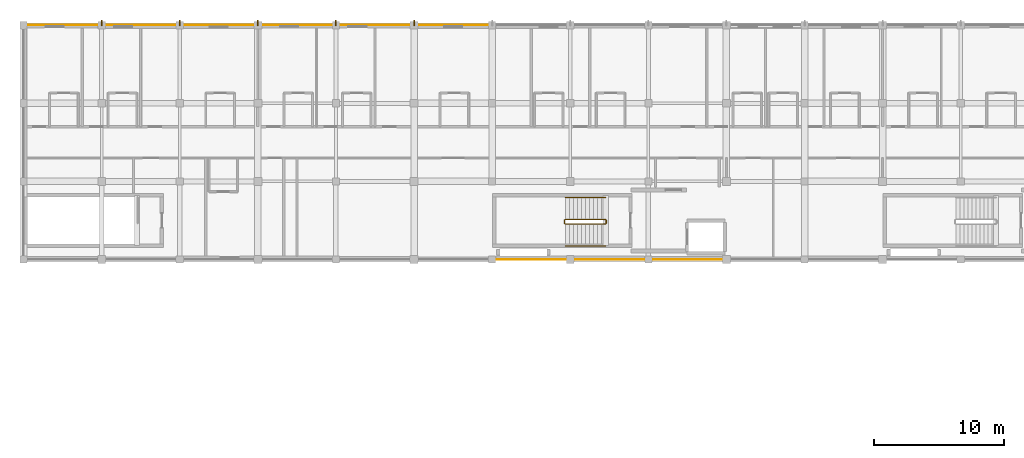
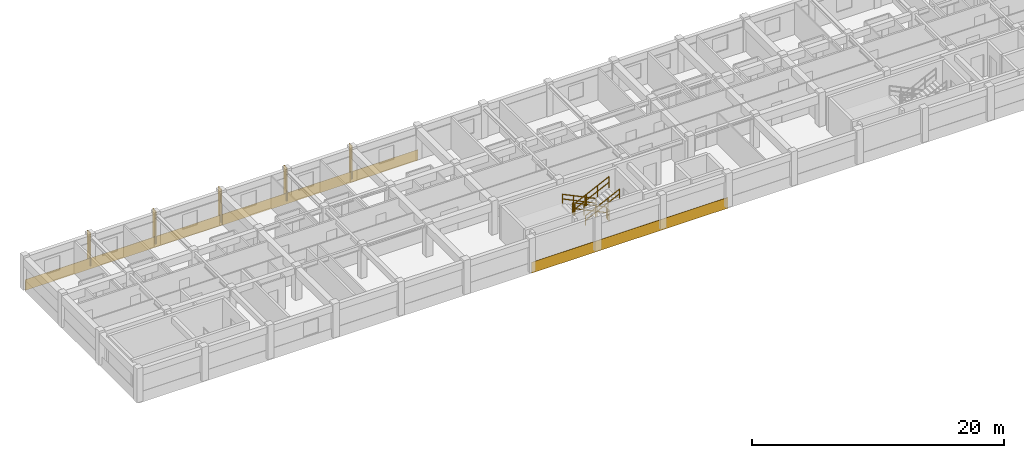
# One storey, part 19 of 21: 6 railings, 5 shading devices, 3 coverings.
"""IFC4 building model written with IfcOpenShell, lengths in metres."""

from ifc_helpers import new_model, si_unit, direction, frame, origin, origin_2d, place, context, subcontext, project, spatial, polyline, rectangle, circle, outline, extrude, material, layer, layer_set, type_object, element, save


model = new_model("IFC4")

# Units and contexts
model_context = context("Model", 3, precision=1e-05, world=origin(), true_north=direction((0.0, 1.0)))
body_context = subcontext(model_context, "Body", "Model", "MODEL_VIEW")
ifc_project = project(units=[si_unit("LENGTHUNIT", "METRE"), si_unit("AREAUNIT", "SQUARE_METRE"), si_unit("VOLUMEUNIT", "CUBIC_METRE"), si_unit("PLANEANGLEUNIT", "RADIAN"), si_unit("MASSUNIT", "GRAM", prefix="KILO"), si_unit("THERMODYNAMICTEMPERATUREUNIT", "KELVIN"), si_unit("POWERUNIT", "WATT")], contexts=[model_context])

# Site, building, storey
site_placement = place(None, origin())
site = spatial("IfcSite", under=ifc_project, at=site_placement, CompositionType="ELEMENT")
building_placement = place(site_placement, origin())
building = spatial("IfcBuilding", under=site, at=building_placement, Name="Phaisarnlok Congress Hotel", CompositionType="ELEMENT")
storey_placement = place(building_placement, frame((0.0, 0.0, 34.800048828125)))
storey = spatial("IfcBuildingStorey", under=building, at=storey_placement, Name="L08", CompositionType="ELEMENT", Elevation=34.800048828125)

# Coverings
ifc_material_1 = material(Name="Anodised Silver Aluminium Alloy 6063-T6", Category="aluminium")
ifc_layer_1 = layer(ifc_material_1, 0.031982421875, Name="Anodised Silver Aluminium Alloy 6063-T6")
ifc_layer_set_1 = layer_set([ifc_layer_1], Name="Anodised Silver Aluminium Alloy 6063-T6")
covering_type = type_object("IfcCoveringType", Name="COV-SPAND-ALU", PredefinedType="CLADDING", material=ifc_layer_set_1)
for number, where, z_axis, x_axis, name in (
    (1, (84.06005859375, 125.9951171875, -0.280029296875), (0.0, 1.0, 0.0), (-1.0, 0.0, 0.0), "Swiss minimalist anodised silver rainscreen band CL-02 (L08 N)"),
    (2, (102.06005859375, 125.9951171875, -0.280029296875), (0.0, 1.0, 0.0), (-1.0, 0.0, 0.0), "Swiss minimalist anodised silver rainscreen band CL-02 (L08 N)"),
    (3, (102.06005859375, 108.0048828125, -0.280029296875), (0.0, -1.0, 0.0), (1.0, 0.0, 0.0), "Swiss minimalist anodised silver rainscreen band CL-02 (L08 S)"),
):
    element("IfcCovering", number, at=place(storey_placement, frame(where, z_axis=z_axis, x_axis=x_axis)), inside=storey, type_object=covering_type, Name=name, PredefinedType="CLADDING", context=body_context, shape_type="SweptSolid", body=[
        extrude(outline(polyline([(0.0, 0.0), (18.0, 0.0), (18.0, 1.050048828125), (0.0, 1.050048828125), (0.0, 0.0)])), origin(), (0.0, 0.0, 1.0), 0.031982421875),
    ])

# Railings
ifc_material_2 = material(Name="Painted Galvanised Steel S275", Category="steel")
railing_type_1 = type_object("IfcRailingType", Name="RLG-STR-GUARD", PredefinedType="BALUSTRADE", material=ifc_material_2)
railing_1_placement = place(storey_placement, frame((110.719970703125, 111.070068359375, 0.14990234375)))
element("IfcRailing", 4, at=railing_1_placement, inside=storey, type_object=railing_type_1, Name="L08 ST-07 stair guard 1", PredefinedType="BALUSTRADE", context=body_context, shape_type="SweptSolid", body=[
    extrude(circle(Radius=0.02392578125, at=origin_2d()), frame((0.0, 0.0, 1.076171875), z_axis=(-0.900151181449, 0.0, 0.435577605641), x_axis=(0.0, -1.0, 0.0)), (0.0, 0.0, 1.0), 3.443603515625),
    extrude(circle(Radius=0.02392578125, at=origin_2d()), frame((0.0, 0.0, 0.52587890625), z_axis=(-0.900151181449, 0.0, 0.435577605641), x_axis=(0.0, -1.0, 0.0)), (0.0, 0.0, 1.0), 3.443603515625),
    extrude(circle(Radius=0.02099609375, at=origin_2d()), origin(), (0.0, 0.0, 1.0), 1.052001953125),
    extrude(circle(Radius=0.02099609375, at=origin_2d()), frame((-1.033203125, 0.0, 0.5)), (0.0, 0.0, 1.0), 1.052001953125),
    extrude(circle(Radius=0.02099609375, at=origin_2d()), frame((-2.066650390625, 0.0, 1.0)), (0.0, 0.0, 1.0), 1.052001953125),
    extrude(circle(Radius=0.02099609375, at=origin_2d()), frame((-3.099853515625, 0.0, 1.5)), (0.0, 0.0, 1.0), 1.052001953125),
])
railing_2_placement = place(storey_placement, frame((107.570068359375, 111.02001953125, 1.64990234375)))
element("IfcRailing", 5, at=railing_2_placement, inside=storey, type_object=railing_type_1, Name="L08 ST-07 stair guard 2", PredefinedType="BALUSTRADE", context=body_context, shape_type="SweptSolid", body=[
    extrude(circle(Radius=0.02392578125, at=origin_2d()), frame((0.0, 0.0, 1.076171875), z_axis=(0.0, -1.0, 0.0), x_axis=(1.0, 0.0, 0.0)), (0.0, 0.0, 1.0), 0.239990234375),
    extrude(circle(Radius=0.02392578125, at=origin_2d()), frame((0.0, 0.0, 0.52587890625), z_axis=(0.0, -1.0, 0.0), x_axis=(1.0, 0.0, 0.0)), (0.0, 0.0, 1.0), 0.239990234375),
    extrude(circle(Radius=0.02099609375, at=origin_2d()), origin(), (0.0, 0.0, 1.0), 1.052001953125),
    extrude(circle(Radius=0.02099609375, at=origin_2d()), frame((0.0, -0.239990234375, 0.0)), (0.0, 0.0, 1.0), 1.052001953125),
])
railing_3_placement = place(storey_placement, frame((107.6201171875, 110.72998046875, 1.800048828125)))
element("IfcRailing", 6, at=railing_3_placement, inside=storey, type_object=railing_type_1, Name="L08 ST-07 stair guard 3", PredefinedType="BALUSTRADE", context=body_context, shape_type="SweptSolid", body=[
    extrude(circle(Radius=0.02392578125, at=origin_2d()), frame((0.0, 0.0, 1.076171875), z_axis=(0.900151181449, 0.0, 0.435577605641), x_axis=(0.0, 1.0, 0.0)), (0.0, 0.0, 1.0), 3.443603515625),
    extrude(circle(Radius=0.02392578125, at=origin_2d()), frame((0.0, 0.0, 0.52587890625), z_axis=(0.900151181449, 0.0, 0.435577605641), x_axis=(0.0, 1.0, 0.0)), (0.0, 0.0, 1.0), 3.443603515625),
    extrude(circle(Radius=0.02099609375, at=origin_2d()), origin(), (0.0, 0.0, 1.0), 1.052001953125),
    extrude(circle(Radius=0.02099609375, at=origin_2d()), frame((1.033203125, 0.0, 0.5)), (0.0, 0.0, 1.0), 1.052001953125),
    extrude(circle(Radius=0.02099609375, at=origin_2d()), frame((2.066650390625, 0.0, 1.0)), (0.0, 0.0, 1.0), 1.052001953125),
    extrude(circle(Radius=0.02099609375, at=origin_2d()), frame((3.099853515625, 0.0, 1.5)), (0.0, 0.0, 1.0), 1.052001953125),
])
railing_4_placement = place(storey_placement, frame((110.77001953125, 111.02001953125, 0.0)))
element("IfcRailing", 7, at=railing_4_placement, inside=storey, type_object=railing_type_1, Name="L08 ST-07 stair guard 4", PredefinedType="BALUSTRADE", context=body_context, shape_type="SweptSolid", body=[
    extrude(circle(Radius=0.02392578125, at=origin_2d()), frame((0.0, 0.0, 1.076171875), z_axis=(0.0, -1.0, 0.0), x_axis=(1.0, 0.0, 0.0)), (0.0, 0.0, 1.0), 0.239990234375),
    extrude(circle(Radius=0.02392578125, at=origin_2d()), frame((0.0, 0.0, 0.52587890625), z_axis=(0.0, -1.0, 0.0), x_axis=(1.0, 0.0, 0.0)), (0.0, 0.0, 1.0), 0.239990234375),
    extrude(circle(Radius=0.02099609375, at=origin_2d()), origin(), (0.0, 0.0, 1.0), 1.052001953125),
    extrude(circle(Radius=0.02099609375, at=origin_2d()), frame((0.0, -0.239990234375, 0.0)), (0.0, 0.0, 1.0), 1.052001953125),
])
ifc_material_3 = material(Name="Brushed Stainless Steel Grade 304", Category="steel")
railing_type_2 = type_object("IfcRailingType", Name="RLG-STR-HRAIL", PredefinedType="HANDRAIL", material=ifc_material_3)
railing_5_placement = place(storey_placement, frame((110.719970703125, 112.75, 0.14990234375)))
element("IfcRailing", 8, at=railing_5_placement, inside=storey, type_object=railing_type_2, Name="L08 ST-07 stair handrail 1", PredefinedType="HANDRAIL", context=body_context, shape_type="SweptSolid", body=[
    extrude(circle(Radius=0.02392578125, at=origin_2d()), frame((0.0, 0.0, 0.8759765625), z_axis=(-0.900151181449, 0.0, 0.435577605641), x_axis=(0.0, -1.0, 0.0)), (0.0, 0.0, 1.0), 3.443603515625),
    extrude(circle(Radius=0.02392578125, at=origin_2d()), frame((0.0, 0.0, 0.42578125), z_axis=(-0.900151181449, 0.0, 0.435577605641), x_axis=(0.0, -1.0, 0.0)), (0.0, 0.0, 1.0), 3.443603515625),
    extrude(circle(Radius=0.02099609375, at=origin_2d()), origin(), (0.0, 0.0, 1.0), 0.851806640625),
    extrude(circle(Radius=0.02099609375, at=origin_2d()), frame((-1.033203125, 0.0, 0.5)), (0.0, 0.0, 1.0), 0.851806640625),
    extrude(circle(Radius=0.02099609375, at=origin_2d()), frame((-2.066650390625, 0.0, 1.0)), (0.0, 0.0, 1.0), 0.851806640625),
    extrude(circle(Radius=0.02099609375, at=origin_2d()), frame((-3.099853515625, 0.0, 1.5)), (0.0, 0.0, 1.0), 0.851806640625),
])
railing_6_placement = place(storey_placement, frame((107.6201171875, 109.050048828125, 1.800048828125)))
element("IfcRailing", 9, at=railing_6_placement, inside=storey, type_object=railing_type_2, Name="L08 ST-07 stair handrail 2", PredefinedType="HANDRAIL", context=body_context, shape_type="SweptSolid", body=[
    extrude(circle(Radius=0.02392578125, at=origin_2d()), frame((0.0, 0.0, 0.8759765625), z_axis=(0.900151181449, 0.0, 0.435577605641), x_axis=(0.0, 1.0, 0.0)), (0.0, 0.0, 1.0), 3.443603515625),
    extrude(circle(Radius=0.02392578125, at=origin_2d()), frame((0.0, 0.0, 0.42578125), z_axis=(0.900151181449, 0.0, 0.435577605641), x_axis=(0.0, 1.0, 0.0)), (0.0, 0.0, 1.0), 3.443603515625),
    extrude(circle(Radius=0.02099609375, at=origin_2d()), origin(), (0.0, 0.0, 1.0), 0.851806640625),
    extrude(circle(Radius=0.02099609375, at=origin_2d()), frame((1.033203125, 0.0, 0.5)), (0.0, 0.0, 1.0), 0.851806640625),
    extrude(circle(Radius=0.02099609375, at=origin_2d()), frame((2.066650390625, 0.0, 1.0)), (0.0, 0.0, 1.0), 0.851806640625),
    extrude(circle(Radius=0.02099609375, at=origin_2d()), frame((3.099853515625, 0.0, 1.5)), (0.0, 0.0, 1.0), 0.851806640625),
])

# Shading devices
ifc_material_4 = material(Name="Anodised Champagne Aluminium Alloy 6063", Category="aluminium")
ifc_layer_2 = layer(ifc_material_4, 0.050048828125, Name="Anodised Champagne Aluminium Alloy 6063")
ifc_layer_set_2 = layer_set([ifc_layer_2], Name="Anodised Champagne Aluminium Alloy 6063")
shading_device_type = type_object("IfcShadingDeviceType", Name="SHD-FIN-VERT", PredefinedType="SHUTTER", material=ifc_layer_set_2)
for number, where, z_axis, x_axis, name in (
    (10, (72.0, 126.179931640625, 0.0400390625), (0.0, 0.0, 1.0), (1.0, 0.0, 0.0), "Hotel vertical solar fin SF-01 (L08)"),
    (11, (78.0, 126.179931640625, 0.0400390625), (0.0, 0.0, 1.0), (1.0, 0.0, 0.0), "Hotel vertical solar fin SF-01 (L08)"),
    (12, (84.0, 126.179931640625, 0.0400390625), (0.0, 0.0, 1.0), (1.0, 0.0, 0.0), "Hotel vertical solar fin SF-01 (L08)"),
    (13, (90.0, 126.179931640625, 0.0400390625), (0.0, 0.0, 1.0), (1.0, 0.0, 0.0), "Hotel vertical solar fin SF-01 (L08)"),
    (14, (96.0, 126.179931640625, 0.0400390625), (0.0, 0.0, 1.0), (1.0, 0.0, 0.0), "Hotel vertical solar fin SF-01 (L08)"),
):
    element("IfcShadingDevice", number, at=place(storey_placement, frame(where, z_axis=z_axis, x_axis=x_axis)), inside=storey, type_object=shading_device_type, Name=name, PredefinedType="SHUTTER", context=body_context, shape_type="SweptSolid", body=[
        extrude(rectangle(XDim=0.080078125, YDim=0.43994140625, at=origin_2d()), origin(), (0.0, 0.0, 1.0), 3.219970703125),
    ])

save(model, "model.ifc")
